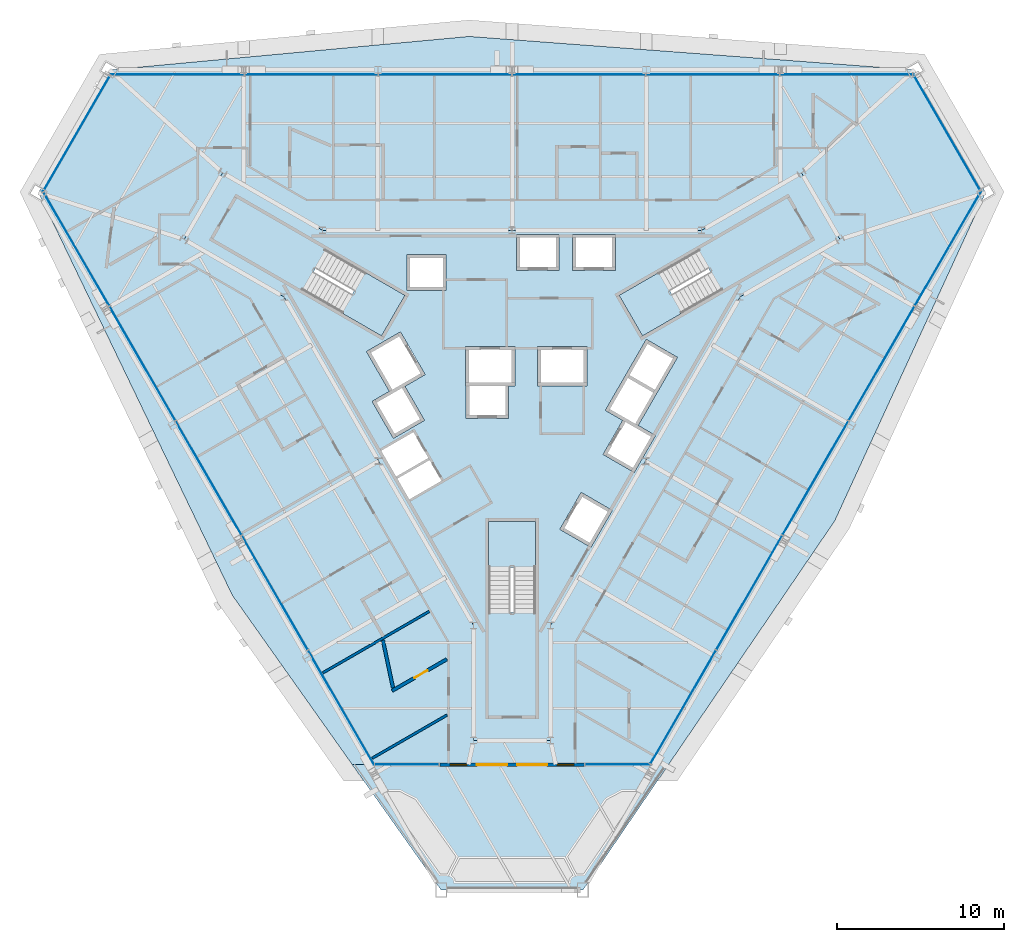
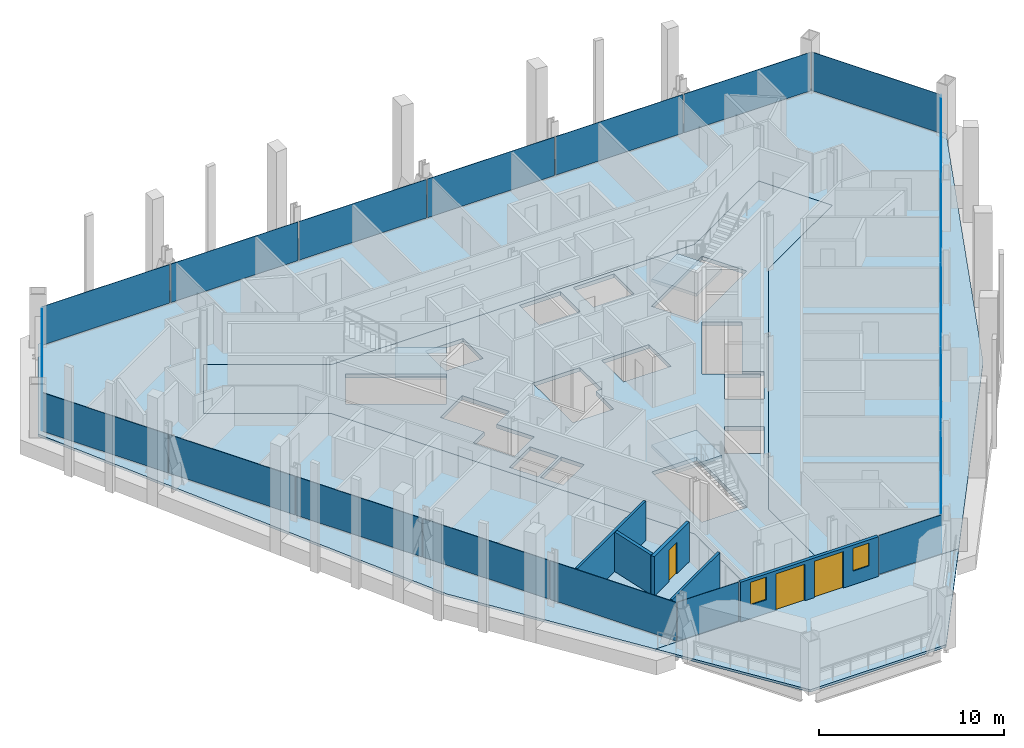
# One storey, part 9 of 16: 20 plates, 6 slabs, 5 walls, 3 doors, 2 windows, 5 openings, 10 elements without a shape of their own.
"""IFC4 building model written with IfcOpenShell, lengths in metres."""

from ifc_helpers import new_model, si_unit, direction, frame, frame_2d, origin, origin_2d, place, context, subcontext, project, spatial, polyline, rectangle, outline, extrude, material, layer, layer_set, type_object, element, fill, aggregate, save


model = new_model("IFC4")

# Units and contexts
model_context = context("Model", 3, precision=1e-05, world=origin(), true_north=direction((0.0, 1.0)))
body_context = subcontext(model_context, "Body", "Model", "MODEL_VIEW")
ifc_project = project(units=[si_unit("LENGTHUNIT", "METRE"), si_unit("AREAUNIT", "SQUARE_METRE"), si_unit("VOLUMEUNIT", "CUBIC_METRE"), si_unit("PLANEANGLEUNIT", "RADIAN"), si_unit("MASSUNIT", "GRAM", prefix="KILO")], contexts=[model_context])

# Site, building, storey
site_placement = place(None, origin())
site = spatial("IfcSite", under=ifc_project, at=site_placement, CompositionType="ELEMENT")
building_placement = place(site_placement, origin())
building = spatial("IfcBuilding", under=site, at=building_placement, Name="Verrane Prism Tower", CompositionType="ELEMENT")
storey_placement = place(building_placement, frame((0.0, 0.0, 114.39990234375)))
storey = spatial("IfcBuildingStorey", under=building, at=storey_placement, Name="L27", CompositionType="ELEMENT", Elevation=114.39990234375)

# Slabs
ifc_material_1 = material(Name="Concrete C35/45", Category="concrete")
ifc_layer_1 = layer(ifc_material_1, 0.159912109375)
ifc_layer_set_1 = layer_set([ifc_layer_1], Name="Composite floor slab")
slab_type_1 = type_object("IfcSlabType", Name="Composite floor slab", PredefinedType="FLOOR", material=ifc_layer_set_1)
slab_1_placement = place(storey_placement, frame((0.0, 0.0, -0.159912109375)))
element("IfcSlab", 1, at=slab_1_placement, inside=storey, type_object=slab_type_1, Name="Floor slab L27", PredefinedType="FLOOR", context=body_context, shape_type="SweptSolid", body=[
    extrude(outline(polyline([(-16.72119140625, -12.6181640625), (-28.30615234375, 11.44775390625), (-24.067138671875, 18.7900390625), (-2.567138671875, 20.7900390625), (24.067138671875, 18.7900390625), (28.30615234375, 11.44775390625), (19.288330078125, -8.171875), (9.35400390625, -22.73779296875), (-9.55224609375, -22.73779296875), (-16.72119140625, -12.6181640625)]), holes=[polyline([(19.60009765625, 8.659912109375), (17.300048828125, 12.639892578125), (11.330078125, 9.199951171875), (0.0, 9.199951171875), (-11.330078125, 9.199951171875), (-17.300048828125, 12.639892578125), (-19.60009765625, 8.659912109375), (-13.6298828125, 5.219970703125), (-7.969970703125, -4.60009765625), (-2.300048828125, -14.419921875), (-2.300048828125, -21.300048828125), (2.300048828125, -21.300048828125), (2.300048828125, -14.419921875), (7.969970703125, -4.60009765625), (13.6298828125, 5.219970703125), (19.60009765625, 8.659912109375)])]), origin(), (0.0, 0.0, 1.0), 0.159912109375),
])
ifc_material_2 = material(Name="Concrete C40/50", Category="concrete")
ifc_layer_2 = layer(ifc_material_2, 0.25)
ifc_layer_set_2 = layer_set([ifc_layer_2], Name="Core floor slab 250 concrete C40/50")
slab_type_2 = type_object("IfcSlabType", Name="Core floor slab 250 concrete C40/50", PredefinedType="FLOOR", material=ifc_layer_set_2)
slab_2_placement = place(storey_placement, frame((0.0, 0.0, -0.25)))
element("IfcSlab", 2, at=slab_2_placement, inside=storey, type_object=slab_type_2, Name="Core floor L27", PredefinedType="FLOOR", context=body_context, shape_type="SweptSolid", body=[
    extrude(outline(polyline([(13.6298828125, 5.219970703125), (19.60009765625, 8.659912109375), (17.300048828125, 12.639892578125), (11.330078125, 9.199951171875), (0.0, 9.199951171875), (-11.330078125, 9.199951171875), (-17.300048828125, 12.639892578125), (-19.60009765625, 8.659912109375), (-13.6298828125, 5.219970703125), (-7.969970703125, -4.60009765625), (-2.300048828125, -14.419921875), (-2.300048828125, -21.300048828125), (2.300048828125, -21.300048828125), (2.300048828125, -14.419921875), (7.969970703125, -4.60009765625), (13.6298828125, 5.219970703125)]), holes=[polyline([(1.39990234375, -8.199951171875), (1.39990234375, -13.639892578125), (-1.39990234375, -13.639892578125), (-1.39990234375, -8.199951171875), (1.39990234375, -8.199951171875)]), polyline([(-4.215087890625, -5.77099609375), (-6.14208984375, -6.883056640625), (-6.85400390625, -5.64599609375), (-4.928955078125, -4.533935546875), (-4.215087890625, -5.77099609375)]), polyline([(-5.0029296875, -4.404052734375), (-6.929931640625, -5.51708984375), (-7.819091796875, -3.97705078125), (-5.89306640625, -2.864013671875), (-5.0029296875, -4.404052734375)]), polyline([(0.1650390625, 2.25), (0.1650390625, -0.10009765625), (-0.205078125, -0.10009765625), (-0.205078125, -2.050048828125), (-2.7548828125, -2.050048828125), (-2.7548828125, -0.10009765625), (-2.784912109375, -0.10009765625), (-2.784912109375, 2.25), (0.1650390625, 2.25)]), polyline([(-12.512939453125, 5.60791015625), (-11.113037109375, 8.031982421875), (-6.40087890625, 5.31201171875), (-7.801025390625, 2.887939453125), (-12.512939453125, 5.60791015625)]), polyline([(-6.284912109375, 5.610107421875), (-6.284912109375, 7.760009765625), (-3.93505859375, 7.760009765625), (-3.93505859375, 5.610107421875), (-6.284912109375, 5.610107421875)]), polyline([(4.717041015625, -9.75), (2.85498046875, -8.675048828125), (4.1298828125, -6.466064453125), (5.991943359375, -7.541015625), (4.717041015625, -9.75)]), polyline([(8.303955078125, -3.136962890625), (5.575927734375, -1.56201171875), (8.02587890625, 2.680908203125), (9.887939453125, 1.60595703125), (7.5380859375, -2.464111328125), (8.576904296875, -3.06396484375), (7.302001953125, -5.27197265625), (5.43994140625, -4.197021484375), (6.614990234375, -2.162109375), (8.303955078125, -3.136962890625)]), polyline([(1.52490234375, -0.10009765625), (1.52490234375, 2.25), (4.47509765625, 2.25), (4.47509765625, -0.10009765625), (1.52490234375, -0.10009765625)]), polyline([(6.40087890625, 5.31201171875), (11.113037109375, 8.031982421875), (12.512939453125, 5.60791015625), (7.801025390625, 2.887939453125), (6.40087890625, 5.31201171875)]), polyline([(0.264892578125, 6.81005859375), (0.264892578125, 8.9599609375), (2.81494140625, 8.9599609375), (2.81494140625, 6.81005859375), (0.264892578125, 6.81005859375)]), polyline([(3.625, 6.81005859375), (3.625, 8.9599609375), (6.175048828125, 8.9599609375), (6.175048828125, 6.81005859375), (3.625, 6.81005859375)]), polyline([(-5.23095703125, -2.159912109375), (-7.093017578125, -3.235107421875), (-8.367919921875, -1.02587890625), (-7.3291015625, -0.426025390625), (-8.7041015625, 1.955078125), (-6.66796875, 3.1298828125), (-5.193115234375, 0.574951171875), (-6.406005859375, -0.125), (-5.23095703125, -2.159912109375)])]), origin(), (0.0, 0.0, 1.0), 0.25),
])
ifc_material_3 = material(Name="Concrete C35/45", Category="concrete")
ifc_layer_3 = layer(ifc_material_3, 0.159912109375)
ifc_layer_set_3 = layer_set([ifc_layer_3], Name="Garden floor slab")
slab_type_3 = type_object("IfcSlabType", Name="Garden floor slab", PredefinedType="FLOOR", material=ifc_layer_set_3)
slab_3_placement = place(storey_placement, frame((0.0, 0.0, -0.159912109375)))
element("IfcSlab", 3, at=slab_3_placement, inside=storey, type_object=slab_type_3, Name="Garden floor slab L27", PredefinedType="FLOOR", context=body_context, shape_type="SweptSolid", body=[
    extrude(outline(polyline([(9.35400390625, -22.73779296875), (-9.55224609375, -22.73779296875), (-4.239013671875, -30.23779296875), (4.239013671875, -30.23779296875), (9.35400390625, -22.73779296875)])), origin(), (0.0, 0.0, 1.0), 0.159912109375),
])

# Curtain wall, plate
ifc_material_4 = material(Name="Aluminium framed insulated glazing", Category="aluminium")
curtain_wall_type_1 = type_object("IfcCurtainWallType", Name="Curtain wall CW-A 8400 module", PredefinedType="NOTDEFINED", material=ifc_material_4)
curtain_wall_1_placement = place(storey_placement, origin())
curtain_wall_1 = element("IfcCurtainWall", 4, at=curtain_wall_1_placement, inside=storey, type_object=curtain_wall_type_1, Name="Glazed curtain wall north-east corner L27", PredefinedType="NOTDEFINED")
ifc_material_5 = material(Name="Low-iron insulating glass unit", Category="glass")
ifc_layer_4 = layer(ifc_material_5, 0.031982421875)
ifc_layer_set_4 = layer_set([ifc_layer_4], Name="Glazing panel IGU 32")
plate_type_1 = type_object("IfcPlateType", Name="Glazing panel IGU 32", PredefinedType="CURTAIN_PANEL", material=ifc_layer_set_4)
plate_1_placement = place(storey_placement, frame((25.99365234375, 15.0478515625, 0.070068359375), z_axis=(0.0, 0.0, 1.0), x_axis=(-0.499995693021, 0.866027890405, 0.0)))
plate_1 = element("IfcPlate", 5, at=plate_1_placement, type_object=plate_type_1, Name="CW27.1 panel 1", PredefinedType="CURTAIN_PANEL", context=body_context, shape_type="SweptSolid", body=[
    extrude(rectangle(XDim=7.997802734375, YDim=0.031982421875, at=origin_2d()), origin(), (0.0, 0.0, 1.0), 2.54296875),
])
aggregate(curtain_wall_1, [plate_1])

# Curtain wall, plates
curtain_wall_2_placement = place(storey_placement, origin())
curtain_wall_2 = element("IfcCurtainWall", 6, at=curtain_wall_2_placement, inside=storey, type_object=curtain_wall_type_1, Name="Glazed curtain wall north face L27", PredefinedType="NOTDEFINED")
plate_2_placement = place(storey_placement, frame((19.9775390625, 18.510986328125, 0.070068359375), z_axis=(0.0, 0.0, 1.0), x_axis=(-1.0, 0.0, 0.0)))
plate_2 = element("IfcPlate", 7, at=plate_2_placement, type_object=plate_type_1, Name="CW27.2 panel 1", PredefinedType="CURTAIN_PANEL", context=body_context, shape_type="SweptSolid", body=[
    extrude(rectangle(XDim=7.89306640625, YDim=0.031982421875, at=origin_2d()), origin(), (0.0, 0.0, 1.0), 2.54296875),
])
plate_3_placement = place(storey_placement, frame((11.9970703125, 18.510986328125, 0.070068359375), z_axis=(0.0, 0.0, 1.0), x_axis=(-1.0, 0.0, 0.0)))
plate_3 = element("IfcPlate", 8, at=plate_3_placement, type_object=plate_type_1, Name="CW27.2 panel 2", PredefinedType="CURTAIN_PANEL", context=body_context, shape_type="SweptSolid", body=[
    extrude(rectangle(XDim=7.927978515625, YDim=0.031982421875, at=origin_2d()), origin(), (0.0, 0.0, 1.0), 2.54296875),
])
plate_4_placement = place(storey_placement, frame((3.9990234375, 18.510986328125, 0.070068359375), z_axis=(0.0, 0.0, 1.0), x_axis=(-1.0, 0.0, 0.0)))
plate_4 = element("IfcPlate", 9, at=plate_4_placement, type_object=plate_type_1, Name="CW27.2 panel 3", PredefinedType="CURTAIN_PANEL", context=body_context, shape_type="SweptSolid", body=[
    extrude(rectangle(XDim=7.927978515625, YDim=0.031982421875, at=origin_2d()), origin(), (0.0, 0.0, 1.0), 2.54296875),
])
plate_5_placement = place(storey_placement, frame((-3.9990234375, 18.510986328125, 0.070068359375), z_axis=(0.0, 0.0, 1.0), x_axis=(-1.0, 0.0, 0.0)))
plate_5 = element("IfcPlate", 10, at=plate_5_placement, type_object=plate_type_1, Name="CW27.2 panel 4", PredefinedType="CURTAIN_PANEL", context=body_context, shape_type="SweptSolid", body=[
    extrude(rectangle(XDim=7.927978515625, YDim=0.031982421875, at=origin_2d()), origin(), (0.0, 0.0, 1.0), 2.54296875),
])
plate_6_placement = place(storey_placement, frame((-11.9970703125, 18.510986328125, 0.070068359375), z_axis=(0.0, 0.0, 1.0), x_axis=(-1.0, 0.0, 0.0)))
plate_6 = element("IfcPlate", 11, at=plate_6_placement, type_object=plate_type_1, Name="CW27.2 panel 5", PredefinedType="CURTAIN_PANEL", context=body_context, shape_type="SweptSolid", body=[
    extrude(rectangle(XDim=7.927978515625, YDim=0.031982421875, at=origin_2d()), origin(), (0.0, 0.0, 1.0), 2.54296875),
])
plate_7_placement = place(storey_placement, frame((-20.0126953125, 18.510986328125, 0.070068359375), z_axis=(0.0, 0.0, 1.0), x_axis=(-1.0, 0.0, 0.0)))
plate_7 = element("IfcPlate", 12, at=plate_7_placement, type_object=plate_type_1, Name="CW27.2 panel 6", PredefinedType="CURTAIN_PANEL", context=body_context, shape_type="SweptSolid", body=[
    extrude(rectangle(XDim=7.963134765625, YDim=0.031982421875, at=origin_2d()), origin(), (0.0, 0.0, 1.0), 2.54296875),
])
aggregate(curtain_wall_2, [plate_2, plate_3, plate_4, plate_5, plate_6, plate_7])

# Curtain wall, plate
curtain_wall_3_placement = place(storey_placement, origin())
curtain_wall_3 = element("IfcCurtainWall", 13, at=curtain_wall_3_placement, inside=storey, type_object=curtain_wall_type_1, Name="Glazed curtain wall north-west corner L27", PredefinedType="NOTDEFINED")
plate_8_placement = place(storey_placement, frame((-26.028564453125, 14.9873046875, 0.070068359375), z_axis=(0.0, 0.0, 1.0), x_axis=(-0.499995693021, -0.866027890405, 0.0)))
plate_8 = element("IfcPlate", 14, at=plate_8_placement, type_object=plate_type_1, Name="CW27.3 panel 1", PredefinedType="CURTAIN_PANEL", context=body_context, shape_type="SweptSolid", body=[
    extrude(rectangle(XDim=7.997802734375, YDim=0.031982421875, at=origin_2d()), origin(), (0.0, 0.0, 1.0), 2.54296875),
])
aggregate(curtain_wall_3, [plate_8])

# Curtain wall, plates
curtain_wall_4_placement = place(storey_placement, origin())
curtain_wall_4 = element("IfcCurtainWall", 15, at=curtain_wall_4_placement, inside=storey, type_object=curtain_wall_type_1, Name="Glazed curtain wall south-west face L27", PredefinedType="NOTDEFINED")
plate_9_placement = place(storey_placement, frame((-26.041259765625, 8.082763671875, 0.070068359375), z_axis=(0.0, 0.0, 1.0), x_axis=(0.49999887292, -0.866026054504, 0.0)))
plate_9 = element("IfcPlate", 16, at=plate_9_placement, type_object=plate_type_1, Name="CW27.4 panel 1", PredefinedType="CURTAIN_PANEL", context=body_context, shape_type="SweptSolid", body=[
    extrude(rectangle(XDim=7.807373046875, YDim=0.031982421875, at=origin_2d()), origin(), (0.0, 0.0, 1.0), 2.54296875),
])
plate_10_placement = place(storey_placement, frame((-22.09375, 1.245361328125, 0.070068359375), z_axis=(0.0, 0.0, 1.0), x_axis=(0.49999887292, -0.866026054504, 0.0)))
plate_10 = element("IfcPlate", 17, at=plate_10_placement, type_object=plate_type_1, Name="CW27.4 panel 2", PredefinedType="CURTAIN_PANEL", context=body_context, shape_type="SweptSolid", body=[
    extrude(rectangle(XDim=7.842529296875, YDim=0.031982421875, at=origin_2d()), origin(), (0.0, 0.0, 1.0), 2.54296875),
])
plate_11_placement = place(storey_placement, frame((-18.137451171875, -5.60693359375, 0.070068359375), z_axis=(0.0, 0.0, 1.0), x_axis=(0.49999887292, -0.866026054504, 0.0)))
plate_11 = element("IfcPlate", 18, at=plate_11_placement, type_object=plate_type_1, Name="CW27.4 panel 3", PredefinedType="CURTAIN_PANEL", context=body_context, shape_type="SweptSolid", body=[
    extrude(rectangle(XDim=7.842529296875, YDim=0.031982421875, at=origin_2d()), origin(), (0.0, 0.0, 1.0), 2.54296875),
])
plate_12_placement = place(storey_placement, frame((-14.181396484375, -12.459228515625, 0.070068359375), z_axis=(0.0, 0.0, 1.0), x_axis=(0.49999887292, -0.866026054504, 0.0)))
plate_12 = element("IfcPlate", 19, at=plate_12_placement, type_object=plate_type_1, Name="CW27.4 panel 4", PredefinedType="CURTAIN_PANEL", context=body_context, shape_type="SweptSolid", body=[
    extrude(rectangle(XDim=7.842529296875, YDim=0.031982421875, at=origin_2d()), origin(), (0.0, 0.0, 1.0), 2.54296875),
])
plate_13_placement = place(storey_placement, frame((-10.21630859375, -19.32666015625, 0.070068359375), z_axis=(0.0, 0.0, 1.0), x_axis=(0.49999887292, -0.866026054504, 0.0)))
plate_13 = element("IfcPlate", 20, at=plate_13_placement, type_object=plate_type_1, Name="CW27.4 panel 5", PredefinedType="CURTAIN_PANEL", context=body_context, shape_type="SweptSolid", body=[
    extrude(rectangle(XDim=7.87744140625, YDim=0.031982421875, at=origin_2d()), origin(), (0.0, 0.0, 1.0), 2.54296875),
])
aggregate(curtain_wall_4, [plate_9, plate_10, plate_11, plate_12, plate_13])

curtain_wall_5_placement = place(storey_placement, origin())
curtain_wall_5 = element("IfcCurtainWall", 21, at=curtain_wall_5_placement, inside=storey, type_object=curtain_wall_type_1, Name="Glazed curtain wall south-east face L27", PredefinedType="NOTDEFINED")
plate_14_placement = place(storey_placement, frame((10.23388671875, -19.29638671875, 0.070068359375), z_axis=(0.0, 0.0, 1.0), x_axis=(0.49999887292, 0.866026054504, 0.0)))
plate_14 = element("IfcPlate", 22, at=plate_14_placement, type_object=plate_type_1, Name="CW27.6 panel 1", PredefinedType="CURTAIN_PANEL", context=body_context, shape_type="SweptSolid", body=[
    extrude(rectangle(XDim=7.807373046875, YDim=0.031982421875, at=origin_2d()), origin(), (0.0, 0.0, 1.0), 2.54296875),
])
plate_15_placement = place(storey_placement, frame((14.181396484375, -12.459228515625, 0.070068359375), z_axis=(0.0, 0.0, 1.0), x_axis=(0.49999887292, 0.866026054504, 0.0)))
plate_15 = element("IfcPlate", 23, at=plate_15_placement, type_object=plate_type_1, Name="CW27.6 panel 2", PredefinedType="CURTAIN_PANEL", context=body_context, shape_type="SweptSolid", body=[
    extrude(rectangle(XDim=7.842529296875, YDim=0.031982421875, at=origin_2d()), origin(), (0.0, 0.0, 1.0), 2.54296875),
])
plate_16_placement = place(storey_placement, frame((18.137451171875, -5.60693359375, 0.070068359375), z_axis=(0.0, 0.0, 1.0), x_axis=(0.49999887292, 0.866026054504, 0.0)))
plate_16 = element("IfcPlate", 24, at=plate_16_placement, type_object=plate_type_1, Name="CW27.6 panel 3", PredefinedType="CURTAIN_PANEL", context=body_context, shape_type="SweptSolid", body=[
    extrude(rectangle(XDim=7.842529296875, YDim=0.031982421875, at=origin_2d()), origin(), (0.0, 0.0, 1.0), 2.54296875),
])
plate_17_placement = place(storey_placement, frame((22.09375, 1.245361328125, 0.070068359375), z_axis=(0.0, 0.0, 1.0), x_axis=(0.49999887292, 0.866026054504, 0.0)))
plate_17 = element("IfcPlate", 25, at=plate_17_placement, type_object=plate_type_1, Name="CW27.6 panel 4", PredefinedType="CURTAIN_PANEL", context=body_context, shape_type="SweptSolid", body=[
    extrude(rectangle(XDim=7.842529296875, YDim=0.031982421875, at=origin_2d()), origin(), (0.0, 0.0, 1.0), 2.54296875),
])
plate_18_placement = place(storey_placement, frame((26.05859375, 8.113037109375, 0.070068359375), z_axis=(0.0, 0.0, 1.0), x_axis=(0.49999887292, 0.866026054504, 0.0)))
plate_18 = element("IfcPlate", 26, at=plate_18_placement, type_object=plate_type_1, Name="CW27.6 panel 5", PredefinedType="CURTAIN_PANEL", context=body_context, shape_type="SweptSolid", body=[
    extrude(rectangle(XDim=7.87744140625, YDim=0.031982421875, at=origin_2d()), origin(), (0.0, 0.0, 1.0), 2.54296875),
])
aggregate(curtain_wall_5, [plate_14, plate_15, plate_16, plate_17, plate_18])

# Stair, slab
ifc_material_6 = material(Name="Concrete C40/50", Category="concrete")
stair_type = type_object("IfcStairType", Name="Exit stair 1300 dog-leg precast concrete C40/50", PredefinedType="HALF_TURN_STAIR", material=ifc_material_6)
stair_1_placement = place(storey_placement, origin())
stair_1 = element("IfcStair", 27, at=stair_1_placement, inside=storey, type_object=stair_type, Name="Stair 1 L27", PredefinedType="HALF_TURN_STAIR")
ifc_material_7 = material(Name="Concrete C40/50", Category="concrete")
ifc_layer_5 = layer(ifc_material_7, 0.199951171875)
ifc_layer_set_5 = layer_set([ifc_layer_5], Name="Stair landing 200 precast concrete C40/50")
slab_type_4 = type_object("IfcSlabType", Name="Stair landing 200 precast concrete C40/50", PredefinedType="LANDING", material=ifc_layer_set_5)
slab_4_placement = place(storey_placement, frame((0.0, 0.0, 1.60009765625)))
slab_4 = element("IfcSlab", 28, at=slab_4_placement, type_object=slab_type_4, Name="Stair 1 landing 1", PredefinedType="LANDING", context=body_context, shape_type="SweptSolid", body=[
    extrude(outline(polyline([(8.791748046875, 6.6923828125), (6.4013671875, 5.3125), (7.801513671875, 2.887451171875), (10.191650390625, 4.267578125), (8.791748046875, 6.6923828125)])), origin(), (0.0, 0.0, 1.0), 0.199951171875),
])
aggregate(stair_1, [slab_4])

stair_2_placement = place(storey_placement, origin())
stair_2 = element("IfcStair", 29, at=stair_2_placement, inside=storey, type_object=stair_type, Name="Stair 2 L27", PredefinedType="HALF_TURN_STAIR")
slab_5_placement = place(storey_placement, frame((0.0, 0.0, 1.60009765625)))
slab_5 = element("IfcSlab", 30, at=slab_5_placement, type_object=slab_type_4, Name="Stair 2 landing 1", PredefinedType="LANDING", context=body_context, shape_type="SweptSolid", body=[
    extrude(outline(polyline([(-10.191650390625, 4.267578125), (-7.801513671875, 2.887451171875), (-6.4013671875, 5.3125), (-8.791748046875, 6.6923828125), (-10.191650390625, 4.267578125)])), origin(), (0.0, 0.0, 1.0), 0.199951171875),
])
aggregate(stair_2, [slab_5])

stair_3_placement = place(storey_placement, origin())
stair_3 = element("IfcStair", 31, at=stair_3_placement, inside=storey, type_object=stair_type, Name="Stair 3 L27", PredefinedType="HALF_TURN_STAIR")
slab_6_placement = place(storey_placement, frame((0.0, 0.0, 1.60009765625)))
slab_6 = element("IfcSlab", 32, at=slab_6_placement, type_object=slab_type_4, Name="Stair 3 landing 1", PredefinedType="LANDING", context=body_context, shape_type="SweptSolid", body=[
    extrude(outline(polyline([(1.39990234375, -10.9599609375), (1.39990234375, -8.199951171875), (-1.39990234375, -8.199951171875), (-1.39990234375, -10.9599609375), (1.39990234375, -10.9599609375)])), origin(), (0.0, 0.0, 1.0), 0.199951171875),
])
aggregate(stair_3, [slab_6])

# Curtain wall, plate
ifc_material_8 = material(Name="Aluminium framed insulated glazing", Category="aluminium")
curtain_wall_type_2 = type_object("IfcCurtainWallType", Name="Curtain wall CW-C 4200 module", PredefinedType="NOTDEFINED", material=ifc_material_8)
curtain_wall_6_placement = place(storey_placement, origin())
curtain_wall_6 = element("IfcCurtainWall", 33, at=curtain_wall_6_placement, inside=storey, type_object=curtain_wall_type_2, Name="Glazed curtain wall garden cut line L27 1", PredefinedType="NOTDEFINED")
ifc_material_9 = material(Name="Warm limestone cladding", Category="masonry")
ifc_layer_6 = layer(ifc_material_9, 0.028076171875)
ifc_layer_set_6 = layer_set([ifc_layer_6], Name="Stone-faced spandrel panel 28")
plate_type_2 = type_object("IfcPlateType", Name="Stone-faced spandrel panel 28", PredefinedType="CURTAIN_PANEL", material=ifc_layer_set_6)
plate_19_placement = place(storey_placement, frame((-6.28857421875, -22.73779296875, 0.050048828125), z_axis=(0.0, 0.0, 1.0), x_axis=(1.0, 0.0, 0.0)))
plate_19 = element("IfcPlate", 34, at=plate_19_placement, type_object=plate_type_2, Name="CW27.5.1 panel 1", PredefinedType="CURTAIN_PANEL", context=body_context, shape_type="SweptSolid", body=[
    extrude(rectangle(XDim=3.81689453125, YDim=0.028076171875, at=origin_2d()), origin(), (0.0, 0.0, 1.0), 2.56298828125),
])
aggregate(curtain_wall_6, [plate_19])

curtain_wall_7_placement = place(storey_placement, origin())
curtain_wall_7 = element("IfcCurtainWall", 35, at=curtain_wall_7_placement, inside=storey, type_object=curtain_wall_type_2, Name="Glazed curtain wall garden cut line L27 2", PredefinedType="NOTDEFINED")
plate_20_placement = place(storey_placement, frame((6.3134765625, -22.73779296875, 0.050048828125), z_axis=(0.0, 0.0, 1.0), x_axis=(1.0, 0.0, 0.0)))
plate_20 = element("IfcPlate", 36, at=plate_20_placement, type_object=plate_type_2, Name="CW27.5.2 panel 1", PredefinedType="CURTAIN_PANEL", context=body_context, shape_type="SweptSolid", body=[
    extrude(rectangle(XDim=3.866943359375, YDim=0.028076171875, at=origin_2d()), origin(), (0.0, 0.0, 1.0), 2.56298828125),
])
aggregate(curtain_wall_7, [plate_20])

# Wall, openings, doors, windows
ifc_material_10 = material(Name="Aluminium framed insulated glazing", Category="aluminium")
ifc_layer_7 = layer(ifc_material_10, 0.199951171875)
ifc_layer_set_7 = layer_set([ifc_layer_7], Name="Garden screen wall 200")
wall_type_1 = type_object("IfcWallType", Name="Garden screen wall 200", PredefinedType="SOLIDWALL", material=ifc_layer_set_7)
wall_1_placement = place(storey_placement, frame((-4.300048828125, -22.73779296875, 0.0), z_axis=(0.0, 0.0, 1.0), x_axis=(1.0, 0.0, 0.0)))
wall_1 = element("IfcWall", 37, at=wall_1_placement, inside=storey, type_object=wall_type_1, Name="Garden screen wall L27", PredefinedType="SOLIDWALL", context=body_context, shape_type="SweptSolid", body=[
    extrude(rectangle(XDim=8.60009765625, YDim=0.199951171875, at=frame_2d((4.300048828125, 0.0))), origin(), (0.0, 0.0, 1.0), 2.613037109375),
])
opening_1_placement = place(wall_1_placement, frame((0.60009765625, 0.0, 0.89990234375)))
opening_1 = element("IfcOpeningElement", 38, at=opening_1_placement, cuts=wall_1, Name="Opening W27701", PredefinedType="OPENING", context=body_context, shape_type="SweptSolid", body=[
    extrude(rectangle(XDim=1.0, YDim=1.5, at=frame_2d((0.5, 0.75))), frame((0.0, 0.10986328125, 0.0), z_axis=(0.0, -1.0, 0.0), x_axis=(1.0, 0.0, 0.0)), (0.0, 0.0, 1.0), 0.219970703125),
])
opening_2_placement = place(wall_1_placement, frame((2.199951171875, 0.0, 0.0)))
opening_2 = element("IfcOpeningElement", 39, at=opening_2_placement, cuts=wall_1, Name="Opening D27701", PredefinedType="OPENING", context=body_context, shape_type="SweptSolid", body=[
    extrude(rectangle(XDim=1.800048828125, YDim=2.39990234375, at=frame_2d((0.89990234375, 1.199951171875))), frame((0.0, 0.10986328125, 0.0), z_axis=(0.0, -1.0, 0.0), x_axis=(1.0, 0.0, 0.0)), (0.0, 0.0, 1.0), 0.219970703125),
])
opening_3_placement = place(wall_1_placement, frame((4.60009765625, 0.0, 0.0)))
opening_3 = element("IfcOpeningElement", 40, at=opening_3_placement, cuts=wall_1, Name="Opening D27702", PredefinedType="OPENING", context=body_context, shape_type="SweptSolid", body=[
    extrude(rectangle(XDim=1.800048828125, YDim=2.39990234375, at=frame_2d((0.89990234375, 1.199951171875))), frame((0.0, 0.10986328125, 0.0), z_axis=(0.0, -1.0, 0.0), x_axis=(1.0, 0.0, 0.0)), (0.0, 0.0, 1.0), 0.219970703125),
])
opening_4_placement = place(wall_1_placement, frame((7.0, 0.0, 0.89990234375)))
opening_4 = element("IfcOpeningElement", 41, at=opening_4_placement, cuts=wall_1, Name="Opening W27702", PredefinedType="OPENING", context=body_context, shape_type="SweptSolid", body=[
    extrude(rectangle(XDim=1.0, YDim=1.5, at=frame_2d((0.5, 0.75))), frame((0.0, 0.10986328125, 0.0), z_axis=(0.0, -1.0, 0.0), x_axis=(1.0, 0.0, 0.0)), (0.0, 0.0, 1.0), 0.219970703125),
])
ifc_material_11 = material(Name="Aluminium framed glazing", Category="aluminium")
door_type_1 = type_object("IfcDoorType", Name="DR-1800x2400 double glazed garden door", OperationType="DOUBLE_DOOR_SINGLE_SWING", PredefinedType="DOOR", material=ifc_material_11)
door_1_placement = place(opening_2_placement, frame((1.800048828125, 0.0, 0.0), z_axis=(0.0, 0.0, 1.0), x_axis=(-1.0, 0.0, 0.0)))
door_1 = element("IfcDoor", 42, at=door_1_placement, inside=storey, type_object=door_type_1, Name="Garden door D27701", OperationType="DOUBLE_DOOR_SINGLE_SWING", OverallHeight=2.39990234375, OverallWidth=1.800048828125, PredefinedType="DOOR", context=body_context, shape_type="SweptSolid", body=[
    extrude(rectangle(XDim=1.800048828125, YDim=2.39990234375, at=frame_2d((0.89990234375, 1.199951171875))), frame((0.0, 0.02490234375, 0.0), z_axis=(0.0, -1.0, 0.0), x_axis=(1.0, 0.0, 0.0)), (0.0, 0.0, 1.0), 0.050048828125),
])
fill(opening_2, door_1)
door_2_placement = place(opening_3_placement, frame((1.800048828125, 0.0, 0.0), z_axis=(0.0, 0.0, 1.0), x_axis=(-1.0, 0.0, 0.0)))
door_2 = element("IfcDoor", 43, at=door_2_placement, inside=storey, type_object=door_type_1, Name="Garden door D27702", OperationType="DOUBLE_DOOR_SINGLE_SWING", OverallHeight=2.39990234375, OverallWidth=1.800048828125, PredefinedType="DOOR", context=body_context, shape_type="SweptSolid", body=[
    extrude(rectangle(XDim=1.800048828125, YDim=2.39990234375, at=frame_2d((0.89990234375, 1.199951171875))), frame((0.0, 0.02490234375, 0.0), z_axis=(0.0, -1.0, 0.0), x_axis=(1.0, 0.0, 0.0)), (0.0, 0.0, 1.0), 0.050048828125),
])
fill(opening_3, door_2)
ifc_material_12 = material(Name="Aluminium framed glazing", Category="aluminium")
window_type = type_object("IfcWindowType", Name="Vent window 1000x1500 top hung", PartitioningType="SINGLE_PANEL", PredefinedType="WINDOW", material=ifc_material_12)
window_1_placement = place(opening_1_placement, origin())
window_1 = element("IfcWindow", 44, at=window_1_placement, inside=storey, type_object=window_type, Name="Vent window W27701", OverallHeight=1.5, OverallWidth=1.0, PartitioningType="SINGLE_PANEL", PredefinedType="WINDOW", context=body_context, shape_type="SweptSolid", body=[
    extrude(rectangle(XDim=1.0, YDim=1.5, at=frame_2d((0.5, 0.75))), frame((0.0, 0.030029296875, 0.0), z_axis=(0.0, -1.0, 0.0), x_axis=(1.0, 0.0, 0.0)), (0.0, 0.0, 1.0), 0.06005859375),
])
fill(opening_1, window_1)
window_2_placement = place(opening_4_placement, origin())
window_2 = element("IfcWindow", 45, at=window_2_placement, inside=storey, type_object=window_type, Name="Vent window W27702", OverallHeight=1.5, OverallWidth=1.0, PartitioningType="SINGLE_PANEL", PredefinedType="WINDOW", context=body_context, shape_type="SweptSolid", body=[
    extrude(rectangle(XDim=1.0, YDim=1.5, at=frame_2d((0.5, 0.75))), frame((0.0, 0.030029296875, 0.0), z_axis=(0.0, -1.0, 0.0), x_axis=(1.0, 0.0, 0.0)), (0.0, 0.0, 1.0), 0.06005859375),
])
fill(opening_4, window_2)

# Walls
ifc_material_13 = material(Name="Gypsum board partition", Category="other")
ifc_layer_8 = layer(ifc_material_13, 0.14990234375)
ifc_layer_set_8 = layer_set([ifc_layer_8], Name="PW-150 demising wall 1 h")
wall_type_2 = type_object("IfcWallType", Name="PW-150 demising wall 1 h", PredefinedType="PARTITIONING", material=ifc_layer_set_8)
wall_2_placement = place(storey_placement, frame((-11.304443359375, -17.249755859375, 0.0), z_axis=(0.0, 0.0, 1.0), x_axis=(0.86600919026, 0.500028081597, 0.0)))
element("IfcWall", 46, at=wall_2_placement, inside=storey, type_object=wall_type_2, Name="Demising wall 027", PredefinedType="PARTITIONING", context=body_context, shape_type="SweptSolid", body=[
    extrude(rectangle(XDim=7.3525390625, YDim=0.14990234375, at=frame_2d((3.67626953125, 0.0))), origin(), (0.0, 0.0, 1.0), 2.613037109375),
])
wall_3_placement = place(storey_placement, frame((-8.35693359375, -22.35498046875, 0.0), z_axis=(0.0, 0.0, 1.0), x_axis=(0.866060346521, 0.499939472521, 0.0)))
element("IfcWall", 47, at=wall_3_placement, inside=storey, type_object=wall_type_2, Name="Demising wall 032", PredefinedType="PARTITIONING", context=body_context, shape_type="SweptSolid", body=[
    extrude(rectangle(XDim=5.161376953125, YDim=0.14990234375, at=frame_2d((2.58056640625, 0.0))), origin(), (0.0, 0.0, 1.0), 2.613037109375),
])
ifc_material_14 = material(Name="Gypsum board partition", Category="other")
ifc_layer_9 = layer(ifc_material_14, 0.199951171875)
ifc_layer_set_9 = layer_set([ifc_layer_9], Name="PW-200 plumbing wall")
wall_type_3 = type_object("IfcWallType", Name="PW-200 plumbing wall", PredefinedType="PARTITIONING", material=ifc_layer_set_9)
wall_4_placement = place(storey_placement, frame((-7.718017578125, -15.301025390625, 0.0), z_axis=(0.0, 0.0, 1.0), x_axis=(0.207306745071, -0.978275990428, 0.0)))
element("IfcWall", 48, at=wall_4_placement, inside=storey, type_object=wall_type_3, Name="Plumbing wall 033", PredefinedType="PARTITIONING", context=body_context, shape_type="SweptSolid", body=[
    extrude(rectangle(XDim=2.904052734375, YDim=0.199951171875, at=frame_2d((1.4521484375, 0.0))), origin(), (0.0, 0.0, 1.0), 2.613037109375),
])

# Wall, opening, door
wall_5_placement = place(storey_placement, frame((-7.173583984375, -18.3291015625, 0.0), z_axis=(0.0, 0.0, 1.0), x_axis=(0.865937163705, 0.500152805165, 0.0)))
wall_5 = element("IfcWall", 49, at=wall_5_placement, inside=storey, type_object=wall_type_3, Name="Plumbing wall 035", PredefinedType="PARTITIONING", context=body_context, shape_type="SweptSolid", body=[
    extrude(rectangle(XDim=3.781005859375, YDim=0.199951171875, at=frame_2d((1.890625, 0.0))), origin(), (0.0, 0.0, 1.0), 2.613037109375),
])
opening_5_placement = place(wall_5_placement, frame((1.550048828125, 0.0, 0.0)))
opening_5 = element("IfcOpeningElement", 50, at=opening_5_placement, cuts=wall_5, Name="Opening D27025", PredefinedType="OPENING", context=body_context, shape_type="SweptSolid", body=[
    extrude(rectangle(XDim=0.89990234375, YDim=2.10009765625, at=frame_2d((0.449951171875, 1.050048828125))), frame((0.0, 0.10986328125, 0.0), z_axis=(0.0, -1.0, 0.0), x_axis=(1.0, 0.0, 0.0)), (0.0, 0.0, 1.0), 0.219970703125),
])
ifc_material_15 = material(Name="Timber veneered door leaf", Category="wood")
door_type_2 = type_object("IfcDoorType", Name="DR-900x2100 single leaf bath", OperationType="NOTDEFINED", PredefinedType="DOOR", material=ifc_material_15)
door_3_placement = place(opening_5_placement, origin())
door_3 = element("IfcDoor", 51, at=door_3_placement, inside=storey, type_object=door_type_2, Name="En-Suite door", OperationType="SINGLE_SWING_LEFT", OverallHeight=2.10009765625, OverallWidth=0.89990234375, PredefinedType="DOOR", context=body_context, shape_type="SweptSolid", body=[
    extrude(rectangle(XDim=0.89990234375, YDim=2.10009765625, at=frame_2d((0.449951171875, 1.050048828125))), frame((0.0, 0.02490234375, 0.0), z_axis=(0.0, -1.0, 0.0), x_axis=(1.0, 0.0, 0.0)), (0.0, 0.0, 1.0), 0.050048828125),
])
fill(opening_5, door_3)

save(model, "model.ifc")
